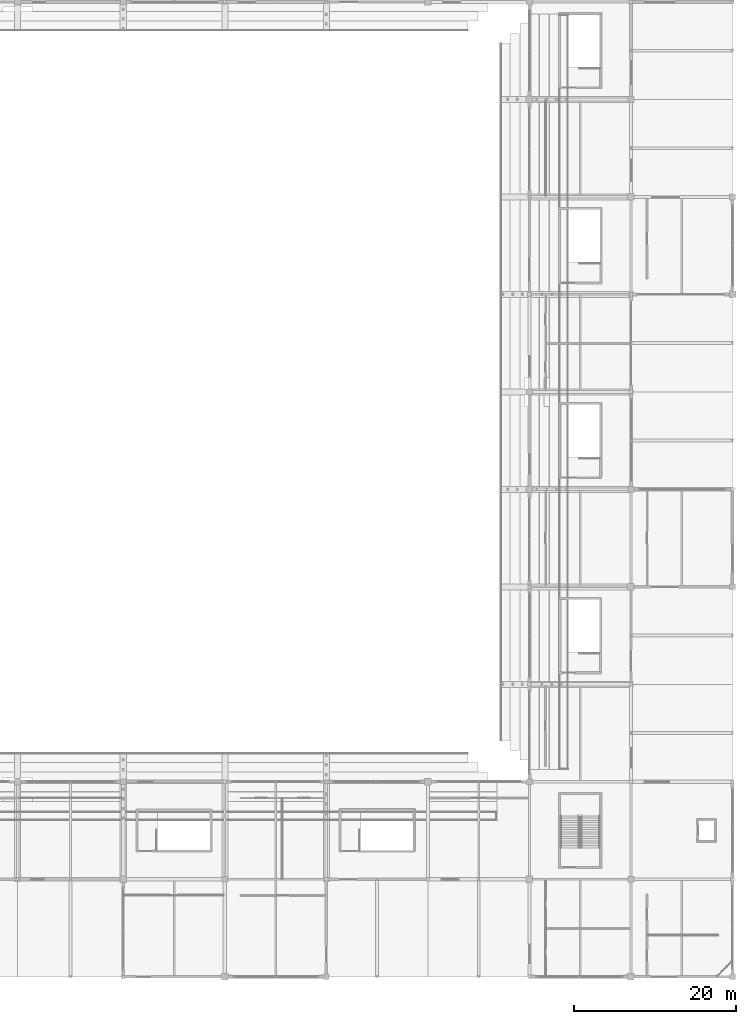
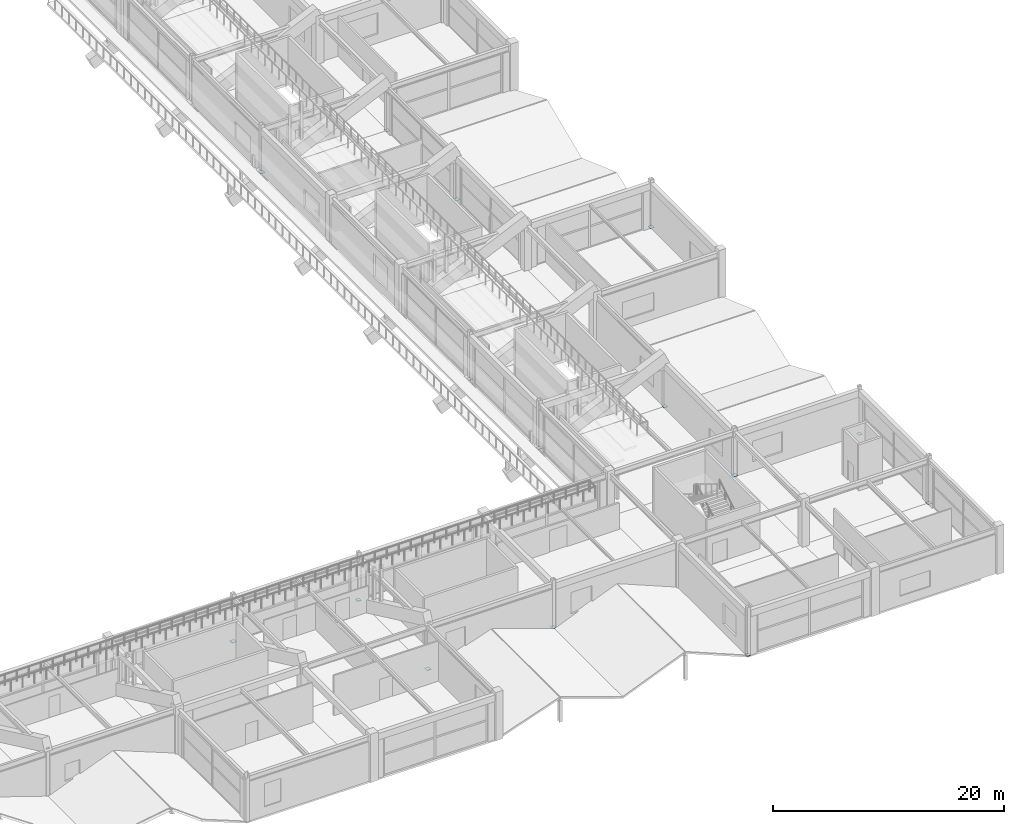
# One storey, part 80 of 128: 15 plates.
"""IFC4 building model written with IfcOpenShell, lengths in metres."""

from ifc_helpers import new_model, si_unit, direction, frame, origin, origin_2d, place, context, subcontext, project, spatial, rectangle, extrude, material, layer, layer_set, type_object, element, save


model = new_model("IFC4")

# Units and contexts
model_context = context("Model", 3, precision=1e-05, world=origin(), true_north=direction((0.0, 1.0)))
body_context = subcontext(model_context, "Body", "Model", "MODEL_VIEW")
ifc_project = project(units=[si_unit("LENGTHUNIT", "METRE"), si_unit("AREAUNIT", "SQUARE_METRE"), si_unit("VOLUMEUNIT", "CUBIC_METRE"), si_unit("PLANEANGLEUNIT", "RADIAN"), si_unit("MASSUNIT", "GRAM", prefix="KILO")], contexts=[model_context])

# Site, building, storey
site_placement = place(None, origin())
site = spatial("IfcSite", under=ifc_project, at=site_placement, CompositionType="ELEMENT")
building_placement = place(site_placement, origin())
building = spatial("IfcBuilding", under=site, at=building_placement, Name="Kazenohara Klinker Stadium", CompositionType="ELEMENT")
storey_placement = place(building_placement, frame((0.0, 0.0, 15.300048828125)))
storey = spatial("IfcBuildingStorey", under=building, at=storey_placement, Name="L03", CompositionType="ELEMENT", Elevation=15.300048828125)

# Plates
ifc_material = material(Name="Steel S355", Category="steel")
ifc_layer_1 = layer(ifc_material, 0.02001953125)
ifc_layer_set_1 = layer_set([ifc_layer_1], Name="Steel S355")
plate_type_1 = type_object("IfcPlateType", Name="PLT-GP01", PredefinedType="USERDEFINED", material=ifc_layer_set_1)
plate_1_placement = place(storey_placement, frame((175.0, 48.0, -0.010009765625), z_axis=(0.0, 0.0, 1.0), x_axis=(1.0, 0.0, 0.0)))
element("IfcPlate", 1, at=plate_1_placement, inside=storey, type_object=plate_type_1, Name="Hollow column end-cap plate GP01 L03 15/E", ObjectType="GUSSET PLATE", PredefinedType="USERDEFINED", context=body_context, shape_type="SweptSolid", body=[
    extrude(rectangle(XDim=0.43994140625, YDim=0.43994140625, at=origin_2d()), origin(), (0.0, 0.0, 1.0), 0.02001953125),
])
plate_2_placement = place(storey_placement, frame((175.0, 60.0, -0.010009765625), z_axis=(0.0, 0.0, 1.0), x_axis=(1.0, 0.0, 0.0)))
element("IfcPlate", 2, at=plate_2_placement, inside=storey, type_object=plate_type_1, Name="Hollow column end-cap plate GP01 L03 15/F", ObjectType="GUSSET PLATE", PredefinedType="USERDEFINED", context=body_context, shape_type="SweptSolid", body=[
    extrude(rectangle(XDim=0.389892578125, YDim=0.389892578125, at=origin_2d()), origin(), (0.0, 0.0, 1.0), 0.02001953125),
])
ifc_layer_2 = layer(ifc_material, 0.02197265625)
ifc_layer_set_2 = layer_set([ifc_layer_2], Name="Steel S355")
plate_type_2 = type_object("IfcPlateType", Name="PLT-GP02", PredefinedType="USERDEFINED", material=ifc_layer_set_2)
plate_3_placement = place(storey_placement, frame((162.5, 24.0, -0.010986328125), z_axis=(0.0, 0.0, 1.0), x_axis=(1.0, 0.0, 0.0)))
element("IfcPlate", 3, at=plate_3_placement, inside=storey, type_object=plate_type_2, Name="Hollow column end-cap plate GP02 L03 14/C", ObjectType="GUSSET PLATE", PredefinedType="USERDEFINED", context=body_context, shape_type="SweptSolid", body=[
    extrude(rectangle(XDim=0.389892578125, YDim=0.389892578125, at=origin_2d()), origin(), (0.0, 0.0, 1.0), 0.02197265625),
])
for number, where, z_axis, x_axis, name in (
    (4, (187.5, 36.0, -0.010986328125), (0.0, 0.0, 1.0), (1.0, 0.0, 0.0), "Hollow column end-cap plate GP02 L03 16/D"),
    (5, (187.5, 84.0, -0.010986328125), (0.0, 0.0, 1.0), (1.0, 0.0, 0.0), "Hollow column end-cap plate GP02 L03 16/H"),
):
    element("IfcPlate", number, at=place(storey_placement, frame(where, z_axis=z_axis, x_axis=x_axis)), inside=storey, type_object=plate_type_2, Name=name, ObjectType="GUSSET PLATE", PredefinedType="USERDEFINED", context=body_context, shape_type="SweptSolid", body=[
        extrude(rectangle(XDim=0.43994140625, YDim=0.43994140625, at=origin_2d()), origin(), (0.0, 0.0, 1.0), 0.02197265625),
    ])
plate_4_placement = place(storey_placement, frame((187.5, 96.0, -0.010986328125), z_axis=(0.0, 0.0, 1.0), x_axis=(1.0, 0.0, 0.0)))
element("IfcPlate", 6, at=plate_4_placement, inside=storey, type_object=plate_type_2, Name="Hollow column end-cap plate GP02 L03 16/J", ObjectType="GUSSET PLATE", PredefinedType="USERDEFINED", context=body_context, shape_type="SweptSolid", body=[
    extrude(rectangle(XDim=0.389892578125, YDim=0.389892578125, at=origin_2d()), origin(), (0.0, 0.0, 1.0), 0.02197265625),
])
for number, where, z_axis, x_axis, name in (
    (7, (200.0, 24.0, -0.010986328125), (0.0, 0.0, 1.0), (1.0, 0.0, 0.0), "Hollow column end-cap plate GP02 L03 17/C"),
    (8, (200.0, 72.0, -0.010986328125), (0.0, 0.0, 1.0), (1.0, 0.0, 0.0), "Hollow column end-cap plate GP02 L03 17/G"),
):
    element("IfcPlate", number, at=place(storey_placement, frame(where, z_axis=z_axis, x_axis=x_axis)), inside=storey, type_object=plate_type_2, Name=name, ObjectType="GUSSET PLATE", PredefinedType="USERDEFINED", context=body_context, shape_type="SweptSolid", body=[
        extrude(rectangle(XDim=0.43994140625, YDim=0.43994140625, at=origin_2d()), origin(), (0.0, 0.0, 1.0), 0.02197265625),
    ])
ifc_layer_3 = layer(ifc_material, 0.02392578125)
ifc_layer_set_3 = layer_set([ifc_layer_3], Name="Steel S355")
plate_type_3 = type_object("IfcPlateType", Name="PLT-GP03", PredefinedType="USERDEFINED", material=ifc_layer_set_3)
for number, where, z_axis, x_axis, name in (
    (9, (137.5, 36.0, -0.011962890625), (0.0, 0.0, 1.0), (1.0, 0.0, 0.0), "Hollow column end-cap plate GP03 L03 12/D"),
    (10, (150.0, 24.0, -0.011962890625), (0.0, 0.0, 1.0), (1.0, 0.0, 0.0), "Hollow column end-cap plate GP03 L03 13/C"),
):
    element("IfcPlate", number, at=place(storey_placement, frame(where, z_axis=z_axis, x_axis=x_axis)), inside=storey, type_object=plate_type_3, Name=name, ObjectType="GUSSET PLATE", PredefinedType="USERDEFINED", context=body_context, shape_type="SweptSolid", body=[
        extrude(rectangle(XDim=0.43994140625, YDim=0.43994140625, at=origin_2d()), origin(), (0.0, 0.0, 1.0), 0.02392578125),
    ])
for number, where, z_axis, x_axis, name in (
    (11, (150.0, 36.0, -0.011962890625), (0.0, 0.0, 1.0), (1.0, 0.0, 0.0), "Hollow column end-cap plate GP03 L03 13/D"),
    (12, (175.0, 12.0, -0.011962890625), (0.0, 0.0, 1.0), (1.0, 0.0, 0.0), "Hollow column end-cap plate GP03 L03 15/B"),
):
    element("IfcPlate", number, at=place(storey_placement, frame(where, z_axis=z_axis, x_axis=x_axis)), inside=storey, type_object=plate_type_3, Name=name, ObjectType="GUSSET PLATE", PredefinedType="USERDEFINED", context=body_context, shape_type="SweptSolid", body=[
        extrude(rectangle(XDim=0.389892578125, YDim=0.389892578125, at=origin_2d()), origin(), (0.0, 0.0, 1.0), 0.02392578125),
    ])
plate_5_placement = place(storey_placement, frame((175.0, 96.0, -0.011962890625), z_axis=(0.0, 0.0, 1.0), x_axis=(1.0, 0.0, 0.0)))
element("IfcPlate", 13, at=plate_5_placement, inside=storey, type_object=plate_type_3, Name="Hollow column end-cap plate GP03 L03 15/J", ObjectType="GUSSET PLATE", PredefinedType="USERDEFINED", context=body_context, shape_type="SweptSolid", body=[
    extrude(rectangle(XDim=0.43994140625, YDim=0.43994140625, at=origin_2d()), origin(), (0.0, 0.0, 1.0), 0.02392578125),
])
ifc_layer_4 = layer(ifc_material, 0.02490234375)
ifc_layer_set_4 = layer_set([ifc_layer_4], Name="Steel S355")
plate_type_4 = type_object("IfcPlateType", Name="PLT-GP04", PredefinedType="USERDEFINED", material=ifc_layer_set_4)
for number, where, z_axis, x_axis, name in (
    (14, (187.5, 48.0, -0.012451171875), (0.0, 0.0, 1.0), (1.0, 0.0, 0.0), "Hollow column end-cap plate GP04 L03 16/E"),
    (15, (200.0, 36.0, -0.012451171875), (0.0, 0.0, 1.0), (1.0, 0.0, 0.0), "Hollow column end-cap plate GP04 L03 17/D"),
):
    element("IfcPlate", number, at=place(storey_placement, frame(where, z_axis=z_axis, x_axis=x_axis)), inside=storey, type_object=plate_type_4, Name=name, ObjectType="GUSSET PLATE", PredefinedType="USERDEFINED", context=body_context, shape_type="SweptSolid", body=[
        extrude(rectangle(XDim=0.389892578125, YDim=0.389892578125, at=origin_2d()), origin(), (0.0, 0.0, 1.0), 0.02490234375),
    ])

save(model, "model.ifc")
